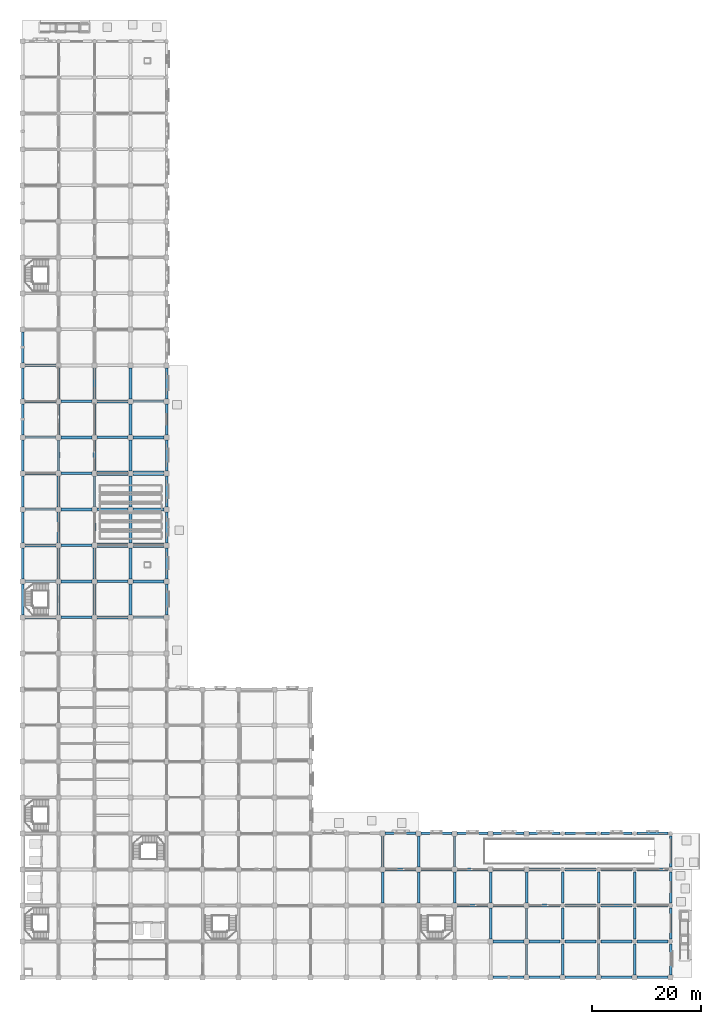
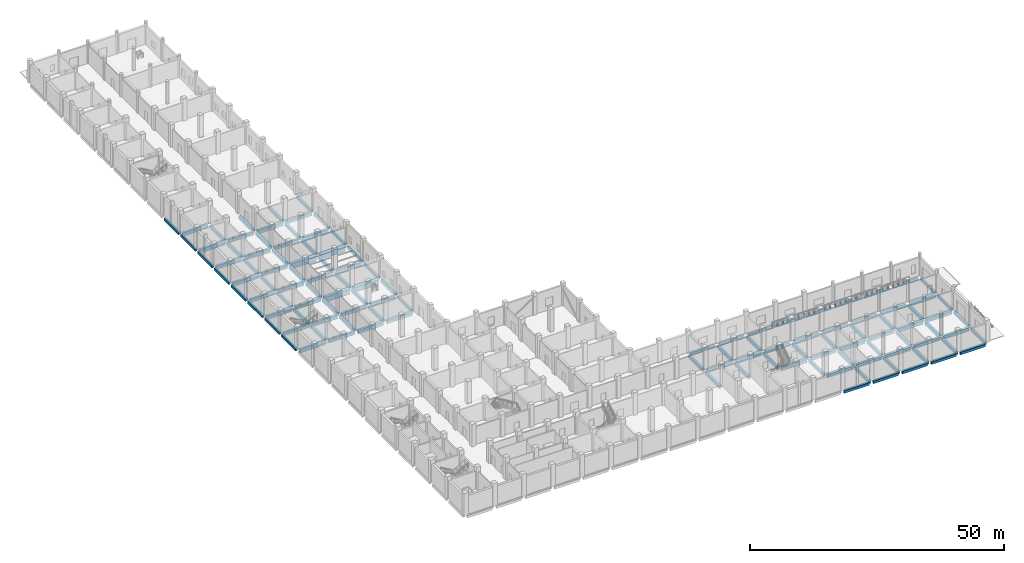
# One storey, part 4 of 28: 121 beams.
"""IFC4 building model written with IfcOpenShell, lengths in metres."""

from ifc_helpers import new_model, si_unit, direction, frame, origin, origin_2d, place, context, subcontext, project, spatial, rectangle, extrude, material, material_profile, profile_set, type_object, element, save


model = new_model("IFC4")

# Units and contexts
model_context = context("Model", 3, precision=1e-05, world=origin(), true_north=direction((0.0, 1.0)))
body_context = subcontext(model_context, "Body", "Model", "MODEL_VIEW")
ifc_project = project(units=[si_unit("LENGTHUNIT", "METRE"), si_unit("AREAUNIT", "SQUARE_METRE"), si_unit("VOLUMEUNIT", "CUBIC_METRE"), si_unit("PLANEANGLEUNIT", "RADIAN"), si_unit("MASSUNIT", "GRAM", prefix="KILO")], contexts=[model_context])

# Site, building, storey
site_placement = place(None, origin())
site = spatial("IfcSite", under=ifc_project, at=site_placement, CompositionType="ELEMENT")
building_placement = place(site_placement, origin())
building = spatial("IfcBuilding", under=site, at=building_placement, Name="Rusizi Kubbe Research Institute", CompositionType="ELEMENT")
storey_placement = place(building_placement, origin())
storey = spatial("IfcBuildingStorey", under=building, at=storey_placement, Name="L00", CompositionType="ELEMENT", Elevation=0.0)

# Beams
ifc_material_1 = material(Name="Concrete C40/50", Category="concrete")
ifc_material_profile_1 = material_profile(ifc_material_1, rectangle(XDim=0.449951171875, YDim=0.60009765625, at=origin_2d()), Name="RC450x600")
ifc_profile_set_1 = profile_set([ifc_material_profile_1], Name="Concrete C40/50")
beam_type_1 = type_object("IfcBeamType", Name="BM-RC450x600", PredefinedType="SPANDREL", material=ifc_profile_set_1)
for number, where, z_axis, x_axis, name in (
    (1, (66.449951171875, 26.39990234375, -0.7099609375), (1.0, 0.0, 0.0), (0.0, 1.0, 0.0), "Grid Beam H L00 (10,4)"),
    (2, (73.050048828125, 26.39990234375, -0.7099609375), (1.0, 0.0, 0.0), (0.0, 1.0, 0.0), "Grid Beam H L00 (11,4)"),
):
    element("IfcBeam", number, at=place(storey_placement, frame(where, z_axis=z_axis, x_axis=x_axis)), inside=storey, type_object=beam_type_1, Name=name, PredefinedType="SPANDREL", context=body_context, shape_type="SweptSolid", body=[
        extrude(rectangle(XDim=0.449951171875, YDim=0.60009765625, at=origin_2d()), origin(), (0.0, 0.0, 1.0), 5.699951171875),
    ])
beam_1_placement = place(storey_placement, frame((79.64990234375, 26.39990234375, -0.7099609375), z_axis=(1.0, 0.0, 0.0), x_axis=(0.0, 1.0, 0.0)))
element("IfcBeam", 3, at=beam_1_placement, inside=storey, type_object=beam_type_1, Name="Grid Beam H L00 (12,4)", PredefinedType="SPANDREL", context=body_context, shape_type="SweptSolid", body=[
    extrude(rectangle(XDim=0.449951171875, YDim=0.60009765625, at=origin_2d()), origin(), (0.0, 0.0, 1.0), 5.7001953125),
])
for number, where, z_axis, x_axis, name in (
    (4, (86.25, 0.0, -0.7099609375), (1.0, 0.0, 0.0), (0.0, 1.0, 0.0), "Grid Beam H L00 (13,0)"),
    (5, (86.25, 26.39990234375, -0.7099609375), (1.0, 0.0, 0.0), (0.0, 1.0, 0.0), "Grid Beam H L00 (13,4)"),
    (6, (92.85009765625, 0.0, -0.7099609375), (1.0, 0.0, 0.0), (0.0, 1.0, 0.0), "Grid Beam H L00 (14,0)"),
    (7, (92.85009765625, 26.39990234375, -0.7099609375), (1.0, 0.0, 0.0), (0.0, 1.0, 0.0), "Grid Beam H L00 (14,4)"),
    (8, (99.449951171875, 0.0, -0.7099609375), (1.0, 0.0, 0.0), (0.0, 1.0, 0.0), "Grid Beam H L00 (15,0)"),
    (9, (99.449951171875, 26.39990234375, -0.7099609375), (1.0, 0.0, 0.0), (0.0, 1.0, 0.0), "Grid Beam H L00 (15,4)"),
    (10, (106.050048828125, 0.0, -0.7099609375), (1.0, 0.0, 0.0), (0.0, 1.0, 0.0), "Grid Beam H L00 (16,0)"),
    (11, (106.050048828125, 26.39990234375, -0.7099609375), (1.0, 0.0, 0.0), (0.0, 1.0, 0.0), "Grid Beam H L00 (16,4)"),
):
    element("IfcBeam", number, at=place(storey_placement, frame(where, z_axis=z_axis, x_axis=x_axis)), inside=storey, type_object=beam_type_1, Name=name, PredefinedType="SPANDREL", context=body_context, shape_type="SweptSolid", body=[
        extrude(rectangle(XDim=0.449951171875, YDim=0.60009765625, at=origin_2d()), origin(), (0.0, 0.0, 1.0), 5.699951171875),
    ])
for number, where, z_axis, x_axis, name in (
    (12, (112.64990234375, 0.0, -0.7099609375), (1.0, 0.0, 0.0), (0.0, 1.0, 0.0), "Grid Beam H L00 (17,0)"),
    (13, (112.64990234375, 26.39990234375, -0.7099609375), (1.0, 0.0, 0.0), (0.0, 1.0, 0.0), "Grid Beam H L00 (17,4)"),
):
    element("IfcBeam", number, at=place(storey_placement, frame(where, z_axis=z_axis, x_axis=x_axis)), inside=storey, type_object=beam_type_1, Name=name, PredefinedType="SPANDREL", context=body_context, shape_type="SweptSolid", body=[
        extrude(rectangle(XDim=0.449951171875, YDim=0.60009765625, at=origin_2d()), origin(), (0.0, 0.0, 1.0), 5.7001953125),
    ])
for number, where, z_axis, x_axis, name in (
    (14, (0.0, 66.449951171875, -0.7099609375), (0.0, 1.0, 0.0), (-1.0, 0.0, 0.0), "Grid Beam V L00 (0,10)"),
    (15, (0.0, 73.050048828125, -0.7099609375), (0.0, 1.0, 0.0), (-1.0, 0.0, 0.0), "Grid Beam V L00 (0,11)"),
):
    element("IfcBeam", number, at=place(storey_placement, frame(where, z_axis=z_axis, x_axis=x_axis)), inside=storey, type_object=beam_type_1, Name=name, PredefinedType="SPANDREL", context=body_context, shape_type="SweptSolid", body=[
        extrude(rectangle(XDim=0.449951171875, YDim=0.60009765625, at=origin_2d()), origin(), (0.0, 0.0, 1.0), 5.699951171875),
    ])
beam_2_placement = place(storey_placement, frame((0.0, 79.64990234375, -0.7099609375), z_axis=(0.0, 1.0, 0.0), x_axis=(-1.0, 0.0, 0.0)))
element("IfcBeam", 16, at=beam_2_placement, inside=storey, type_object=beam_type_1, Name="Grid Beam V L00 (0,12)", PredefinedType="SPANDREL", context=body_context, shape_type="SweptSolid", body=[
    extrude(rectangle(XDim=0.449951171875, YDim=0.60009765625, at=origin_2d()), origin(), (0.0, 0.0, 1.0), 5.7001953125),
])
for number, where, z_axis, x_axis, name in (
    (17, (0.0, 86.25, -0.7099609375), (0.0, 1.0, 0.0), (-1.0, 0.0, 0.0), "Grid Beam V L00 (0,13)"),
    (18, (0.0, 92.85009765625, -0.7099609375), (0.0, 1.0, 0.0), (-1.0, 0.0, 0.0), "Grid Beam V L00 (0,14)"),
    (19, (0.0, 99.449951171875, -0.7099609375), (0.0, 1.0, 0.0), (-1.0, 0.0, 0.0), "Grid Beam V L00 (0,15)"),
    (20, (0.0, 106.050048828125, -0.7099609375), (0.0, 1.0, 0.0), (-1.0, 0.0, 0.0), "Grid Beam V L00 (0,16)"),
):
    element("IfcBeam", number, at=place(storey_placement, frame(where, z_axis=z_axis, x_axis=x_axis)), inside=storey, type_object=beam_type_1, Name=name, PredefinedType="SPANDREL", context=body_context, shape_type="SweptSolid", body=[
        extrude(rectangle(XDim=0.449951171875, YDim=0.60009765625, at=origin_2d()), origin(), (0.0, 0.0, 1.0), 5.699951171875),
    ])
beam_3_placement = place(storey_placement, frame((0.0, 112.64990234375, -0.7099609375), z_axis=(0.0, 1.0, 0.0), x_axis=(-1.0, 0.0, 0.0)))
element("IfcBeam", 21, at=beam_3_placement, inside=storey, type_object=beam_type_1, Name="Grid Beam V L00 (0,17)", PredefinedType="SPANDREL", context=body_context, shape_type="SweptSolid", body=[
    extrude(rectangle(XDim=0.449951171875, YDim=0.60009765625, at=origin_2d()), origin(), (0.0, 0.0, 1.0), 5.7001953125),
])
for number, where, z_axis, x_axis, name in (
    (22, (26.39990234375, 66.449951171875, -0.7099609375), (0.0, 1.0, 0.0), (-1.0, 0.0, 0.0), "Grid Beam V L00 (4,10)"),
    (23, (26.39990234375, 73.050048828125, -0.7099609375), (0.0, 1.0, 0.0), (-1.0, 0.0, 0.0), "Grid Beam V L00 (4,11)"),
):
    element("IfcBeam", number, at=place(storey_placement, frame(where, z_axis=z_axis, x_axis=x_axis)), inside=storey, type_object=beam_type_1, Name=name, PredefinedType="SPANDREL", context=body_context, shape_type="SweptSolid", body=[
        extrude(rectangle(XDim=0.449951171875, YDim=0.60009765625, at=origin_2d()), origin(), (0.0, 0.0, 1.0), 5.699951171875),
    ])
beam_4_placement = place(storey_placement, frame((26.39990234375, 79.64990234375, -0.7099609375), z_axis=(0.0, 1.0, 0.0), x_axis=(-1.0, 0.0, 0.0)))
element("IfcBeam", 24, at=beam_4_placement, inside=storey, type_object=beam_type_1, Name="Grid Beam V L00 (4,12)", PredefinedType="SPANDREL", context=body_context, shape_type="SweptSolid", body=[
    extrude(rectangle(XDim=0.449951171875, YDim=0.60009765625, at=origin_2d()), origin(), (0.0, 0.0, 1.0), 5.7001953125),
])
for number, where, z_axis, x_axis, name in (
    (25, (26.39990234375, 86.25, -0.7099609375), (0.0, 1.0, 0.0), (-1.0, 0.0, 0.0), "Grid Beam V L00 (4,13)"),
    (26, (26.39990234375, 92.85009765625, -0.7099609375), (0.0, 1.0, 0.0), (-1.0, 0.0, 0.0), "Grid Beam V L00 (4,14)"),
    (27, (26.39990234375, 99.449951171875, -0.7099609375), (0.0, 1.0, 0.0), (-1.0, 0.0, 0.0), "Grid Beam V L00 (4,15)"),
    (28, (26.39990234375, 106.050048828125, -0.7099609375), (0.0, 1.0, 0.0), (-1.0, 0.0, 0.0), "Grid Beam V L00 (4,16)"),
    (29, (118.800048828125, 0.449951171875, -0.7099609375), (0.0, 1.0, 0.0), (-1.0, 0.0, 0.0), "Grid Beam V L00 (18,0)"),
    (30, (118.800048828125, 7.050048828125, -0.7099609375), (0.0, 1.0, 0.0), (-1.0, 0.0, 0.0), "Grid Beam V L00 (18,1)"),
):
    element("IfcBeam", number, at=place(storey_placement, frame(where, z_axis=z_axis, x_axis=x_axis)), inside=storey, type_object=beam_type_1, Name=name, PredefinedType="SPANDREL", context=body_context, shape_type="SweptSolid", body=[
        extrude(rectangle(XDim=0.449951171875, YDim=0.60009765625, at=origin_2d()), origin(), (0.0, 0.0, 1.0), 5.699951171875),
    ])
beam_5_placement = place(storey_placement, frame((118.800048828125, 13.64990234375, -0.7099609375), z_axis=(0.0, 1.0, 0.0), x_axis=(-1.0, 0.0, 0.0)))
element("IfcBeam", 31, at=beam_5_placement, inside=storey, type_object=beam_type_1, Name="Grid Beam V L00 (18,2)", PredefinedType="SPANDREL", context=body_context, shape_type="SweptSolid", body=[
    extrude(rectangle(XDim=0.449951171875, YDim=0.60009765625, at=origin_2d()), origin(), (0.0, 0.0, 1.0), 5.7001953125),
])
beam_6_placement = place(storey_placement, frame((118.800048828125, 20.25, -0.7099609375), z_axis=(0.0, 1.0, 0.0), x_axis=(-1.0, 0.0, 0.0)))
element("IfcBeam", 32, at=beam_6_placement, inside=storey, type_object=beam_type_1, Name="Grid Beam V L00 (18,3)", PredefinedType="SPANDREL", context=body_context, shape_type="SweptSolid", body=[
    extrude(rectangle(XDim=0.449951171875, YDim=0.60009765625, at=origin_2d()), origin(), (0.0, 0.0, 1.0), 5.699951171875),
])
ifc_material_2 = material(Name="Concrete C45/55", Category="concrete")
ifc_material_profile_2 = material_profile(ifc_material_2, rectangle(XDim=0.5, YDim=0.75, at=origin_2d()), Name="RC500x750B")
ifc_profile_set_2 = profile_set([ifc_material_profile_2], Name="Concrete C45/55")
beam_type_2 = type_object("IfcBeamType", Name="BM-RC500x750", PredefinedType="BEAM", material=ifc_profile_set_2)
for number, where, z_axis, x_axis, name in (
    (33, (0.449951171875, 72.60009765625, -0.784912109375), (1.0, 0.0, 0.0), (0.0, 1.0, 0.0), "Grid Beam H L00 (0,11)"),
    (34, (0.449951171875, 85.800048828125, -0.784912109375), (1.0, 0.0, 0.0), (0.0, 1.0, 0.0), "Grid Beam H L00 (0,13)"),
    (35, (0.449951171875, 99.0, -0.784912109375), (1.0, 0.0, 0.0), (0.0, 1.0, 0.0), "Grid Beam H L00 (0,15)"),
    (36, (0.449951171875, 112.199951171875, -0.784912109375), (1.0, 0.0, 0.0), (0.0, 1.0, 0.0), "Grid Beam H L00 (0,17)"),
    (37, (7.050048828125, 66.0, -0.784912109375), (1.0, 0.0, 0.0), (0.0, 1.0, 0.0), "Grid Beam H L00 (1,10)"),
    (38, (7.050048828125, 79.199951171875, -0.784912109375), (1.0, 0.0, 0.0), (0.0, 1.0, 0.0), "Grid Beam H L00 (1,12)"),
    (39, (7.050048828125, 92.39990234375, -0.784912109375), (1.0, 0.0, 0.0), (0.0, 1.0, 0.0), "Grid Beam H L00 (1,14)"),
    (40, (7.050048828125, 105.60009765625, -0.784912109375), (1.0, 0.0, 0.0), (0.0, 1.0, 0.0), "Grid Beam H L00 (1,16)"),
):
    element("IfcBeam", number, at=place(storey_placement, frame(where, z_axis=z_axis, x_axis=x_axis)), inside=storey, type_object=beam_type_2, Name=name, PredefinedType="BEAM", context=body_context, shape_type="SweptSolid", body=[
        extrude(rectangle(XDim=0.5, YDim=0.75, at=origin_2d()), origin(), (0.0, 0.0, 1.0), 5.699951171875),
    ])
for number, where, z_axis, x_axis, name in (
    (41, (13.64990234375, 72.60009765625, -0.784912109375), (1.0, 0.0, 0.0), (0.0, 1.0, 0.0), "Grid Beam H L00 (2,11)"),
    (42, (13.64990234375, 85.800048828125, -0.784912109375), (1.0, 0.0, 0.0), (0.0, 1.0, 0.0), "Grid Beam H L00 (2,13)"),
    (43, (13.64990234375, 99.0, -0.784912109375), (1.0, 0.0, 0.0), (0.0, 1.0, 0.0), "Grid Beam H L00 (2,15)"),
):
    element("IfcBeam", number, at=place(storey_placement, frame(where, z_axis=z_axis, x_axis=x_axis)), inside=storey, type_object=beam_type_2, Name=name, PredefinedType="BEAM", context=body_context, shape_type="SweptSolid", body=[
        extrude(rectangle(XDim=0.5, YDim=0.75, at=origin_2d()), origin(), (0.0, 0.0, 1.0), 5.7001953125),
    ])
for number, where, z_axis, x_axis, name in (
    (44, (20.25, 66.0, -0.784912109375), (1.0, 0.0, 0.0), (0.0, 1.0, 0.0), "Grid Beam H L00 (3,10)"),
    (45, (20.25, 105.60009765625, -0.784912109375), (1.0, 0.0, 0.0), (0.0, 1.0, 0.0), "Grid Beam H L00 (3,16)"),
    (46, (66.449951171875, 19.800048828125, -0.784912109375), (1.0, 0.0, 0.0), (0.0, 1.0, 0.0), "Grid Beam H L00 (10,3)"),
):
    element("IfcBeam", number, at=place(storey_placement, frame(where, z_axis=z_axis, x_axis=x_axis)), inside=storey, type_object=beam_type_2, Name=name, PredefinedType="BEAM", context=body_context, shape_type="SweptSolid", body=[
        extrude(rectangle(XDim=0.5, YDim=0.75, at=origin_2d()), origin(), (0.0, 0.0, 1.0), 5.699951171875),
    ])
beam_7_placement = place(storey_placement, frame((79.64990234375, 19.800048828125, -0.784912109375), z_axis=(1.0, 0.0, 0.0), x_axis=(0.0, 1.0, 0.0)))
element("IfcBeam", 47, at=beam_7_placement, inside=storey, type_object=beam_type_2, Name="Grid Beam H L00 (12,3)", PredefinedType="BEAM", context=body_context, shape_type="SweptSolid", body=[
    extrude(rectangle(XDim=0.5, YDim=0.75, at=origin_2d()), origin(), (0.0, 0.0, 1.0), 5.7001953125),
])
for number, where, z_axis, x_axis, name in (
    (48, (86.25, 13.199951171875, -0.784912109375), (1.0, 0.0, 0.0), (0.0, 1.0, 0.0), "Grid Beam H L00 (13,2)"),
    (49, (92.85009765625, 6.60009765625, -0.784912109375), (1.0, 0.0, 0.0), (0.0, 1.0, 0.0), "Grid Beam H L00 (14,1)"),
    (50, (92.85009765625, 19.800048828125, -0.784912109375), (1.0, 0.0, 0.0), (0.0, 1.0, 0.0), "Grid Beam H L00 (14,3)"),
    (51, (99.449951171875, 13.199951171875, -0.784912109375), (1.0, 0.0, 0.0), (0.0, 1.0, 0.0), "Grid Beam H L00 (15,2)"),
    (52, (106.050048828125, 6.60009765625, -0.784912109375), (1.0, 0.0, 0.0), (0.0, 1.0, 0.0), "Grid Beam H L00 (16,1)"),
    (53, (106.050048828125, 19.800048828125, -0.784912109375), (1.0, 0.0, 0.0), (0.0, 1.0, 0.0), "Grid Beam H L00 (16,3)"),
):
    element("IfcBeam", number, at=place(storey_placement, frame(where, z_axis=z_axis, x_axis=x_axis)), inside=storey, type_object=beam_type_2, Name=name, PredefinedType="BEAM", context=body_context, shape_type="SweptSolid", body=[
        extrude(rectangle(XDim=0.5, YDim=0.75, at=origin_2d()), origin(), (0.0, 0.0, 1.0), 5.699951171875),
    ])
beam_8_placement = place(storey_placement, frame((112.64990234375, 13.199951171875, -0.784912109375), z_axis=(1.0, 0.0, 0.0), x_axis=(0.0, 1.0, 0.0)))
element("IfcBeam", 54, at=beam_8_placement, inside=storey, type_object=beam_type_2, Name="Grid Beam H L00 (17,2)", PredefinedType="BEAM", context=body_context, shape_type="SweptSolid", body=[
    extrude(rectangle(XDim=0.5, YDim=0.75, at=origin_2d()), origin(), (0.0, 0.0, 1.0), 5.7001953125),
])
for number, where, z_axis, x_axis, name in (
    (55, (6.60009765625, 66.449951171875, -0.784912109375), (0.0, 1.0, 0.0), (-1.0, 0.0, 0.0), "Grid Beam V L00 (1,10)"),
    (56, (6.60009765625, 73.050048828125, -0.784912109375), (0.0, 1.0, 0.0), (-1.0, 0.0, 0.0), "Grid Beam V L00 (1,11)"),
):
    element("IfcBeam", number, at=place(storey_placement, frame(where, z_axis=z_axis, x_axis=x_axis)), inside=storey, type_object=beam_type_2, Name=name, PredefinedType="BEAM", context=body_context, shape_type="SweptSolid", body=[
        extrude(rectangle(XDim=0.5, YDim=0.75, at=origin_2d()), origin(), (0.0, 0.0, 1.0), 5.699951171875),
    ])
beam_9_placement = place(storey_placement, frame((6.60009765625, 79.64990234375, -0.784912109375), z_axis=(0.0, 1.0, 0.0), x_axis=(-1.0, 0.0, 0.0)))
element("IfcBeam", 57, at=beam_9_placement, inside=storey, type_object=beam_type_2, Name="Grid Beam V L00 (1,12)", PredefinedType="BEAM", context=body_context, shape_type="SweptSolid", body=[
    extrude(rectangle(XDim=0.5, YDim=0.75, at=origin_2d()), origin(), (0.0, 0.0, 1.0), 5.7001953125),
])
for number, where, z_axis, x_axis, name in (
    (58, (6.60009765625, 86.25, -0.784912109375), (0.0, 1.0, 0.0), (-1.0, 0.0, 0.0), "Grid Beam V L00 (1,13)"),
    (59, (6.60009765625, 92.85009765625, -0.784912109375), (0.0, 1.0, 0.0), (-1.0, 0.0, 0.0), "Grid Beam V L00 (1,14)"),
    (60, (6.60009765625, 99.449951171875, -0.784912109375), (0.0, 1.0, 0.0), (-1.0, 0.0, 0.0), "Grid Beam V L00 (1,15)"),
    (61, (6.60009765625, 106.050048828125, -0.784912109375), (0.0, 1.0, 0.0), (-1.0, 0.0, 0.0), "Grid Beam V L00 (1,16)"),
    (62, (13.199951171875, 66.449951171875, -0.784912109375), (0.0, 1.0, 0.0), (-1.0, 0.0, 0.0), "Grid Beam V L00 (2,10)"),
    (63, (13.199951171875, 73.050048828125, -0.784912109375), (0.0, 1.0, 0.0), (-1.0, 0.0, 0.0), "Grid Beam V L00 (2,11)"),
):
    element("IfcBeam", number, at=place(storey_placement, frame(where, z_axis=z_axis, x_axis=x_axis)), inside=storey, type_object=beam_type_2, Name=name, PredefinedType="BEAM", context=body_context, shape_type="SweptSolid", body=[
        extrude(rectangle(XDim=0.5, YDim=0.75, at=origin_2d()), origin(), (0.0, 0.0, 1.0), 5.699951171875),
    ])
beam_10_placement = place(storey_placement, frame((13.199951171875, 79.64990234375, -0.784912109375), z_axis=(0.0, 1.0, 0.0), x_axis=(-1.0, 0.0, 0.0)))
element("IfcBeam", 64, at=beam_10_placement, inside=storey, type_object=beam_type_2, Name="Grid Beam V L00 (2,12)", PredefinedType="BEAM", context=body_context, shape_type="SweptSolid", body=[
    extrude(rectangle(XDim=0.5, YDim=0.75, at=origin_2d()), origin(), (0.0, 0.0, 1.0), 5.7001953125),
])
for number, where, z_axis, x_axis, name in (
    (65, (13.199951171875, 86.25, -0.784912109375), (0.0, 1.0, 0.0), (-1.0, 0.0, 0.0), "Grid Beam V L00 (2,13)"),
    (66, (13.199951171875, 92.85009765625, -0.784912109375), (0.0, 1.0, 0.0), (-1.0, 0.0, 0.0), "Grid Beam V L00 (2,14)"),
    (67, (13.199951171875, 99.449951171875, -0.784912109375), (0.0, 1.0, 0.0), (-1.0, 0.0, 0.0), "Grid Beam V L00 (2,15)"),
    (68, (13.199951171875, 106.050048828125, -0.784912109375), (0.0, 1.0, 0.0), (-1.0, 0.0, 0.0), "Grid Beam V L00 (2,16)"),
    (69, (19.800048828125, 66.449951171875, -0.784912109375), (0.0, 1.0, 0.0), (-1.0, 0.0, 0.0), "Grid Beam V L00 (3,10)"),
    (70, (19.800048828125, 73.050048828125, -0.784912109375), (0.0, 1.0, 0.0), (-1.0, 0.0, 0.0), "Grid Beam V L00 (3,11)"),
):
    element("IfcBeam", number, at=place(storey_placement, frame(where, z_axis=z_axis, x_axis=x_axis)), inside=storey, type_object=beam_type_2, Name=name, PredefinedType="BEAM", context=body_context, shape_type="SweptSolid", body=[
        extrude(rectangle(XDim=0.5, YDim=0.75, at=origin_2d()), origin(), (0.0, 0.0, 1.0), 5.699951171875),
    ])
beam_11_placement = place(storey_placement, frame((19.800048828125, 79.64990234375, -0.784912109375), z_axis=(0.0, 1.0, 0.0), x_axis=(-1.0, 0.0, 0.0)))
element("IfcBeam", 71, at=beam_11_placement, inside=storey, type_object=beam_type_2, Name="Grid Beam V L00 (3,12)", PredefinedType="BEAM", context=body_context, shape_type="SweptSolid", body=[
    extrude(rectangle(XDim=0.5, YDim=0.75, at=origin_2d()), origin(), (0.0, 0.0, 1.0), 5.7001953125),
])
for number, where, z_axis, x_axis, name in (
    (72, (19.800048828125, 86.25, -0.784912109375), (0.0, 1.0, 0.0), (-1.0, 0.0, 0.0), "Grid Beam V L00 (3,13)"),
    (73, (19.800048828125, 92.85009765625, -0.784912109375), (0.0, 1.0, 0.0), (-1.0, 0.0, 0.0), "Grid Beam V L00 (3,14)"),
    (74, (19.800048828125, 99.449951171875, -0.784912109375), (0.0, 1.0, 0.0), (-1.0, 0.0, 0.0), "Grid Beam V L00 (3,15)"),
    (75, (19.800048828125, 106.050048828125, -0.784912109375), (0.0, 1.0, 0.0), (-1.0, 0.0, 0.0), "Grid Beam V L00 (3,16)"),
):
    element("IfcBeam", number, at=place(storey_placement, frame(where, z_axis=z_axis, x_axis=x_axis)), inside=storey, type_object=beam_type_2, Name=name, PredefinedType="BEAM", context=body_context, shape_type="SweptSolid", body=[
        extrude(rectangle(XDim=0.5, YDim=0.75, at=origin_2d()), origin(), (0.0, 0.0, 1.0), 5.699951171875),
    ])
beam_12_placement = place(storey_placement, frame((66.0, 13.64990234375, -0.784912109375), z_axis=(0.0, 1.0, 0.0), x_axis=(-1.0, 0.0, 0.0)))
element("IfcBeam", 76, at=beam_12_placement, inside=storey, type_object=beam_type_2, Name="Grid Beam V L00 (10,2)", PredefinedType="BEAM", context=body_context, shape_type="SweptSolid", body=[
    extrude(rectangle(XDim=0.5, YDim=0.75, at=origin_2d()), origin(), (0.0, 0.0, 1.0), 5.7001953125),
])
beam_13_placement = place(storey_placement, frame((66.0, 20.25, -0.784912109375), z_axis=(0.0, 1.0, 0.0), x_axis=(-1.0, 0.0, 0.0)))
element("IfcBeam", 77, at=beam_13_placement, inside=storey, type_object=beam_type_2, Name="Grid Beam V L00 (10,3)", PredefinedType="BEAM", context=body_context, shape_type="SweptSolid", body=[
    extrude(rectangle(XDim=0.5, YDim=0.75, at=origin_2d()), origin(), (0.0, 0.0, 1.0), 5.699951171875),
])
beam_14_placement = place(storey_placement, frame((72.60009765625, 13.64990234375, -0.784912109375), z_axis=(0.0, 1.0, 0.0), x_axis=(-1.0, 0.0, 0.0)))
element("IfcBeam", 78, at=beam_14_placement, inside=storey, type_object=beam_type_2, Name="Grid Beam V L00 (11,2)", PredefinedType="BEAM", context=body_context, shape_type="SweptSolid", body=[
    extrude(rectangle(XDim=0.5, YDim=0.75, at=origin_2d()), origin(), (0.0, 0.0, 1.0), 5.7001953125),
])
beam_15_placement = place(storey_placement, frame((72.60009765625, 20.25, -0.784912109375), z_axis=(0.0, 1.0, 0.0), x_axis=(-1.0, 0.0, 0.0)))
element("IfcBeam", 79, at=beam_15_placement, inside=storey, type_object=beam_type_2, Name="Grid Beam V L00 (11,3)", PredefinedType="BEAM", context=body_context, shape_type="SweptSolid", body=[
    extrude(rectangle(XDim=0.5, YDim=0.75, at=origin_2d()), origin(), (0.0, 0.0, 1.0), 5.699951171875),
])
beam_16_placement = place(storey_placement, frame((79.199951171875, 13.64990234375, -0.784912109375), z_axis=(0.0, 1.0, 0.0), x_axis=(-1.0, 0.0, 0.0)))
element("IfcBeam", 80, at=beam_16_placement, inside=storey, type_object=beam_type_2, Name="Grid Beam V L00 (12,2)", PredefinedType="BEAM", context=body_context, shape_type="SweptSolid", body=[
    extrude(rectangle(XDim=0.5, YDim=0.75, at=origin_2d()), origin(), (0.0, 0.0, 1.0), 5.7001953125),
])
for number, where, z_axis, x_axis, name in (
    (81, (79.199951171875, 20.25, -0.784912109375), (0.0, 1.0, 0.0), (-1.0, 0.0, 0.0), "Grid Beam V L00 (12,3)"),
    (82, (85.800048828125, 7.050048828125, -0.784912109375), (0.0, 1.0, 0.0), (-1.0, 0.0, 0.0), "Grid Beam V L00 (13,1)"),
):
    element("IfcBeam", number, at=place(storey_placement, frame(where, z_axis=z_axis, x_axis=x_axis)), inside=storey, type_object=beam_type_2, Name=name, PredefinedType="BEAM", context=body_context, shape_type="SweptSolid", body=[
        extrude(rectangle(XDim=0.5, YDim=0.75, at=origin_2d()), origin(), (0.0, 0.0, 1.0), 5.699951171875),
    ])
beam_17_placement = place(storey_placement, frame((85.800048828125, 13.64990234375, -0.784912109375), z_axis=(0.0, 1.0, 0.0), x_axis=(-1.0, 0.0, 0.0)))
element("IfcBeam", 83, at=beam_17_placement, inside=storey, type_object=beam_type_2, Name="Grid Beam V L00 (13,2)", PredefinedType="BEAM", context=body_context, shape_type="SweptSolid", body=[
    extrude(rectangle(XDim=0.5, YDim=0.75, at=origin_2d()), origin(), (0.0, 0.0, 1.0), 5.7001953125),
])
for number, where, z_axis, x_axis, name in (
    (84, (92.39990234375, 0.449951171875, -0.784912109375), (0.0, 1.0, 0.0), (-1.0, 0.0, 0.0), "Grid Beam V L00 (14,0)"),
    (85, (92.39990234375, 7.050048828125, -0.784912109375), (0.0, 1.0, 0.0), (-1.0, 0.0, 0.0), "Grid Beam V L00 (14,1)"),
):
    element("IfcBeam", number, at=place(storey_placement, frame(where, z_axis=z_axis, x_axis=x_axis)), inside=storey, type_object=beam_type_2, Name=name, PredefinedType="BEAM", context=body_context, shape_type="SweptSolid", body=[
        extrude(rectangle(XDim=0.5, YDim=0.75, at=origin_2d()), origin(), (0.0, 0.0, 1.0), 5.699951171875),
    ])
beam_18_placement = place(storey_placement, frame((92.39990234375, 13.64990234375, -0.784912109375), z_axis=(0.0, 1.0, 0.0), x_axis=(-1.0, 0.0, 0.0)))
element("IfcBeam", 86, at=beam_18_placement, inside=storey, type_object=beam_type_2, Name="Grid Beam V L00 (14,2)", PredefinedType="BEAM", context=body_context, shape_type="SweptSolid", body=[
    extrude(rectangle(XDim=0.5, YDim=0.75, at=origin_2d()), origin(), (0.0, 0.0, 1.0), 5.7001953125),
])
for number, where, z_axis, x_axis, name in (
    (87, (99.0, 0.449951171875, -0.784912109375), (0.0, 1.0, 0.0), (-1.0, 0.0, 0.0), "Grid Beam V L00 (15,0)"),
    (88, (99.0, 7.050048828125, -0.784912109375), (0.0, 1.0, 0.0), (-1.0, 0.0, 0.0), "Grid Beam V L00 (15,1)"),
):
    element("IfcBeam", number, at=place(storey_placement, frame(where, z_axis=z_axis, x_axis=x_axis)), inside=storey, type_object=beam_type_2, Name=name, PredefinedType="BEAM", context=body_context, shape_type="SweptSolid", body=[
        extrude(rectangle(XDim=0.5, YDim=0.75, at=origin_2d()), origin(), (0.0, 0.0, 1.0), 5.699951171875),
    ])
beam_19_placement = place(storey_placement, frame((99.0, 13.64990234375, -0.784912109375), z_axis=(0.0, 1.0, 0.0), x_axis=(-1.0, 0.0, 0.0)))
element("IfcBeam", 89, at=beam_19_placement, inside=storey, type_object=beam_type_2, Name="Grid Beam V L00 (15,2)", PredefinedType="BEAM", context=body_context, shape_type="SweptSolid", body=[
    extrude(rectangle(XDim=0.5, YDim=0.75, at=origin_2d()), origin(), (0.0, 0.0, 1.0), 5.7001953125),
])
for number, where, z_axis, x_axis, name in (
    (90, (105.60009765625, 0.449951171875, -0.784912109375), (0.0, 1.0, 0.0), (-1.0, 0.0, 0.0), "Grid Beam V L00 (16,0)"),
    (91, (105.60009765625, 7.050048828125, -0.784912109375), (0.0, 1.0, 0.0), (-1.0, 0.0, 0.0), "Grid Beam V L00 (16,1)"),
):
    element("IfcBeam", number, at=place(storey_placement, frame(where, z_axis=z_axis, x_axis=x_axis)), inside=storey, type_object=beam_type_2, Name=name, PredefinedType="BEAM", context=body_context, shape_type="SweptSolid", body=[
        extrude(rectangle(XDim=0.5, YDim=0.75, at=origin_2d()), origin(), (0.0, 0.0, 1.0), 5.699951171875),
    ])
beam_20_placement = place(storey_placement, frame((105.60009765625, 13.64990234375, -0.784912109375), z_axis=(0.0, 1.0, 0.0), x_axis=(-1.0, 0.0, 0.0)))
element("IfcBeam", 92, at=beam_20_placement, inside=storey, type_object=beam_type_2, Name="Grid Beam V L00 (16,2)", PredefinedType="BEAM", context=body_context, shape_type="SweptSolid", body=[
    extrude(rectangle(XDim=0.5, YDim=0.75, at=origin_2d()), origin(), (0.0, 0.0, 1.0), 5.7001953125),
])
for number, where, z_axis, x_axis, name in (
    (93, (112.199951171875, 0.449951171875, -0.784912109375), (0.0, 1.0, 0.0), (-1.0, 0.0, 0.0), "Grid Beam V L00 (17,0)"),
    (94, (112.199951171875, 7.050048828125, -0.784912109375), (0.0, 1.0, 0.0), (-1.0, 0.0, 0.0), "Grid Beam V L00 (17,1)"),
):
    element("IfcBeam", number, at=place(storey_placement, frame(where, z_axis=z_axis, x_axis=x_axis)), inside=storey, type_object=beam_type_2, Name=name, PredefinedType="BEAM", context=body_context, shape_type="SweptSolid", body=[
        extrude(rectangle(XDim=0.5, YDim=0.75, at=origin_2d()), origin(), (0.0, 0.0, 1.0), 5.699951171875),
    ])
beam_21_placement = place(storey_placement, frame((112.199951171875, 13.64990234375, -0.784912109375), z_axis=(0.0, 1.0, 0.0), x_axis=(-1.0, 0.0, 0.0)))
element("IfcBeam", 95, at=beam_21_placement, inside=storey, type_object=beam_type_2, Name="Grid Beam V L00 (17,2)", PredefinedType="BEAM", context=body_context, shape_type="SweptSolid", body=[
    extrude(rectangle(XDim=0.5, YDim=0.75, at=origin_2d()), origin(), (0.0, 0.0, 1.0), 5.7001953125),
])
ifc_material_3 = material(Name="Concrete C45/55", Category="concrete")
ifc_material_profile_3 = material_profile(ifc_material_3, rectangle(XDim=0.550048828125, YDim=0.85009765625, at=origin_2d()), Name="RC550x850")
ifc_profile_set_3 = profile_set([ifc_material_profile_3], Name="Concrete C45/55")
beam_type_3 = type_object("IfcBeamType", Name="BM-RC550x850", PredefinedType="BEAM", material=ifc_profile_set_3)
for number, where, z_axis, x_axis, name in (
    (96, (0.449951171875, 66.0, -0.8349609375), (1.0, 0.0, 0.0), (0.0, 1.0, 0.0), "Grid Beam H L00 (0,10)"),
    (97, (0.449951171875, 79.199951171875, -0.8349609375), (1.0, 0.0, 0.0), (0.0, 1.0, 0.0), "Grid Beam H L00 (0,12)"),
    (98, (0.449951171875, 92.39990234375, -0.8349609375), (1.0, 0.0, 0.0), (0.0, 1.0, 0.0), "Grid Beam H L00 (0,14)"),
    (99, (0.449951171875, 105.60009765625, -0.8349609375), (1.0, 0.0, 0.0), (0.0, 1.0, 0.0), "Grid Beam H L00 (0,16)"),
    (100, (7.050048828125, 72.60009765625, -0.8349609375), (1.0, 0.0, 0.0), (0.0, 1.0, 0.0), "Grid Beam H L00 (1,11)"),
    (101, (7.050048828125, 85.800048828125, -0.8349609375), (1.0, 0.0, 0.0), (0.0, 1.0, 0.0), "Grid Beam H L00 (1,13)"),
    (102, (7.050048828125, 99.0, -0.8349609375), (1.0, 0.0, 0.0), (0.0, 1.0, 0.0), "Grid Beam H L00 (1,15)"),
):
    element("IfcBeam", number, at=place(storey_placement, frame(where, z_axis=z_axis, x_axis=x_axis)), inside=storey, type_object=beam_type_3, Name=name, PredefinedType="BEAM", context=body_context, shape_type="SweptSolid", body=[
        extrude(rectangle(XDim=0.550048828125, YDim=0.85009765625, at=origin_2d()), origin(), (0.0, 0.0, 1.0), 5.699951171875),
    ])
for number, where, z_axis, x_axis, name in (
    (103, (13.64990234375, 66.0, -0.8349609375), (1.0, 0.0, 0.0), (0.0, 1.0, 0.0), "Grid Beam H L00 (2,10)"),
    (104, (13.64990234375, 105.60009765625, -0.8349609375), (1.0, 0.0, 0.0), (0.0, 1.0, 0.0), "Grid Beam H L00 (2,16)"),
):
    element("IfcBeam", number, at=place(storey_placement, frame(where, z_axis=z_axis, x_axis=x_axis)), inside=storey, type_object=beam_type_3, Name=name, PredefinedType="BEAM", context=body_context, shape_type="SweptSolid", body=[
        extrude(rectangle(XDim=0.550048828125, YDim=0.85009765625, at=origin_2d()), origin(), (0.0, 0.0, 1.0), 5.7001953125),
    ])
for number, where, z_axis, x_axis, name in (
    (105, (20.25, 72.60009765625, -0.8349609375), (1.0, 0.0, 0.0), (0.0, 1.0, 0.0), "Grid Beam H L00 (3,11)"),
    (106, (20.25, 85.800048828125, -0.8349609375), (1.0, 0.0, 0.0), (0.0, 1.0, 0.0), "Grid Beam H L00 (3,13)"),
    (107, (20.25, 99.0, -0.8349609375), (1.0, 0.0, 0.0), (0.0, 1.0, 0.0), "Grid Beam H L00 (3,15)"),
    (108, (73.050048828125, 19.800048828125, -0.8349609375), (1.0, 0.0, 0.0), (0.0, 1.0, 0.0), "Grid Beam H L00 (11,3)"),
):
    element("IfcBeam", number, at=place(storey_placement, frame(where, z_axis=z_axis, x_axis=x_axis)), inside=storey, type_object=beam_type_3, Name=name, PredefinedType="BEAM", context=body_context, shape_type="SweptSolid", body=[
        extrude(rectangle(XDim=0.550048828125, YDim=0.85009765625, at=origin_2d()), origin(), (0.0, 0.0, 1.0), 5.699951171875),
    ])
beam_22_placement = place(storey_placement, frame((79.64990234375, 13.199951171875, -0.8349609375), z_axis=(1.0, 0.0, 0.0), x_axis=(0.0, 1.0, 0.0)))
element("IfcBeam", 109, at=beam_22_placement, inside=storey, type_object=beam_type_3, Name="Grid Beam H L00 (12,2)", PredefinedType="BEAM", context=body_context, shape_type="SweptSolid", body=[
    extrude(rectangle(XDim=0.550048828125, YDim=0.85009765625, at=origin_2d()), origin(), (0.0, 0.0, 1.0), 5.7001953125),
])
for number, where, z_axis, x_axis, name in (
    (110, (86.25, 6.60009765625, -0.8349609375), (1.0, 0.0, 0.0), (0.0, 1.0, 0.0), "Grid Beam H L00 (13,1)"),
    (111, (86.25, 19.800048828125, -0.8349609375), (1.0, 0.0, 0.0), (0.0, 1.0, 0.0), "Grid Beam H L00 (13,3)"),
    (112, (92.85009765625, 13.199951171875, -0.8349609375), (1.0, 0.0, 0.0), (0.0, 1.0, 0.0), "Grid Beam H L00 (14,2)"),
    (113, (99.449951171875, 6.60009765625, -0.8349609375), (1.0, 0.0, 0.0), (0.0, 1.0, 0.0), "Grid Beam H L00 (15,1)"),
    (114, (99.449951171875, 19.800048828125, -0.8349609375), (1.0, 0.0, 0.0), (0.0, 1.0, 0.0), "Grid Beam H L00 (15,3)"),
    (115, (106.050048828125, 13.199951171875, -0.8349609375), (1.0, 0.0, 0.0), (0.0, 1.0, 0.0), "Grid Beam H L00 (16,2)"),
):
    element("IfcBeam", number, at=place(storey_placement, frame(where, z_axis=z_axis, x_axis=x_axis)), inside=storey, type_object=beam_type_3, Name=name, PredefinedType="BEAM", context=body_context, shape_type="SweptSolid", body=[
        extrude(rectangle(XDim=0.550048828125, YDim=0.85009765625, at=origin_2d()), origin(), (0.0, 0.0, 1.0), 5.699951171875),
    ])
for number, where, z_axis, x_axis, name in (
    (116, (112.64990234375, 6.60009765625, -0.8349609375), (1.0, 0.0, 0.0), (0.0, 1.0, 0.0), "Grid Beam H L00 (17,1)"),
    (117, (112.64990234375, 19.800048828125, -0.8349609375), (1.0, 0.0, 0.0), (0.0, 1.0, 0.0), "Grid Beam H L00 (17,3)"),
):
    element("IfcBeam", number, at=place(storey_placement, frame(where, z_axis=z_axis, x_axis=x_axis)), inside=storey, type_object=beam_type_3, Name=name, PredefinedType="BEAM", context=body_context, shape_type="SweptSolid", body=[
        extrude(rectangle(XDim=0.550048828125, YDim=0.85009765625, at=origin_2d()), origin(), (0.0, 0.0, 1.0), 5.7001953125),
    ])
ifc_material_4 = material(Name="Concrete C45/55", Category="concrete")
ifc_material_profile_4 = material_profile(ifc_material_4, rectangle(XDim=0.800048828125, YDim=1.199951171875, at=origin_2d()), Name="RC800x1200")
ifc_profile_set_4 = profile_set([ifc_material_profile_4], Name="Concrete C45/55")
beam_type_4 = type_object("IfcBeamType", Name="BM-RC800x1200", PredefinedType="BEAM", material=ifc_profile_set_4)
for number, where, z_axis, x_axis, name in (
    (118, (13.64990234375, 79.199951171875, -1.010009765625), (1.0, 0.0, 0.0), (0.0, 1.0, 0.0), "Grid Beam H L00 (2,12)"),
    (119, (13.64990234375, 92.39990234375, -1.010009765625), (1.0, 0.0, 0.0), (0.0, 1.0, 0.0), "Grid Beam H L00 (2,14)"),
):
    element("IfcBeam", number, at=place(storey_placement, frame(where, z_axis=z_axis, x_axis=x_axis)), inside=storey, type_object=beam_type_4, Name=name, PredefinedType="BEAM", context=body_context, shape_type="SweptSolid", body=[
        extrude(rectangle(XDim=0.800048828125, YDim=1.199951171875, at=origin_2d()), origin(), (0.0, 0.0, 1.0), 5.7001953125),
    ])
for number, where, z_axis, x_axis, name in (
    (120, (20.25, 79.199951171875, -1.010009765625), (1.0, 0.0, 0.0), (0.0, 1.0, 0.0), "Grid Beam H L00 (3,12)"),
    (121, (20.25, 92.39990234375, -1.010009765625), (1.0, 0.0, 0.0), (0.0, 1.0, 0.0), "Grid Beam H L00 (3,14)"),
):
    element("IfcBeam", number, at=place(storey_placement, frame(where, z_axis=z_axis, x_axis=x_axis)), inside=storey, type_object=beam_type_4, Name=name, PredefinedType="BEAM", context=body_context, shape_type="SweptSolid", body=[
        extrude(rectangle(XDim=0.800048828125, YDim=1.199951171875, at=origin_2d()), origin(), (0.0, 0.0, 1.0), 5.699951171875),
    ])

save(model, "model.ifc")
